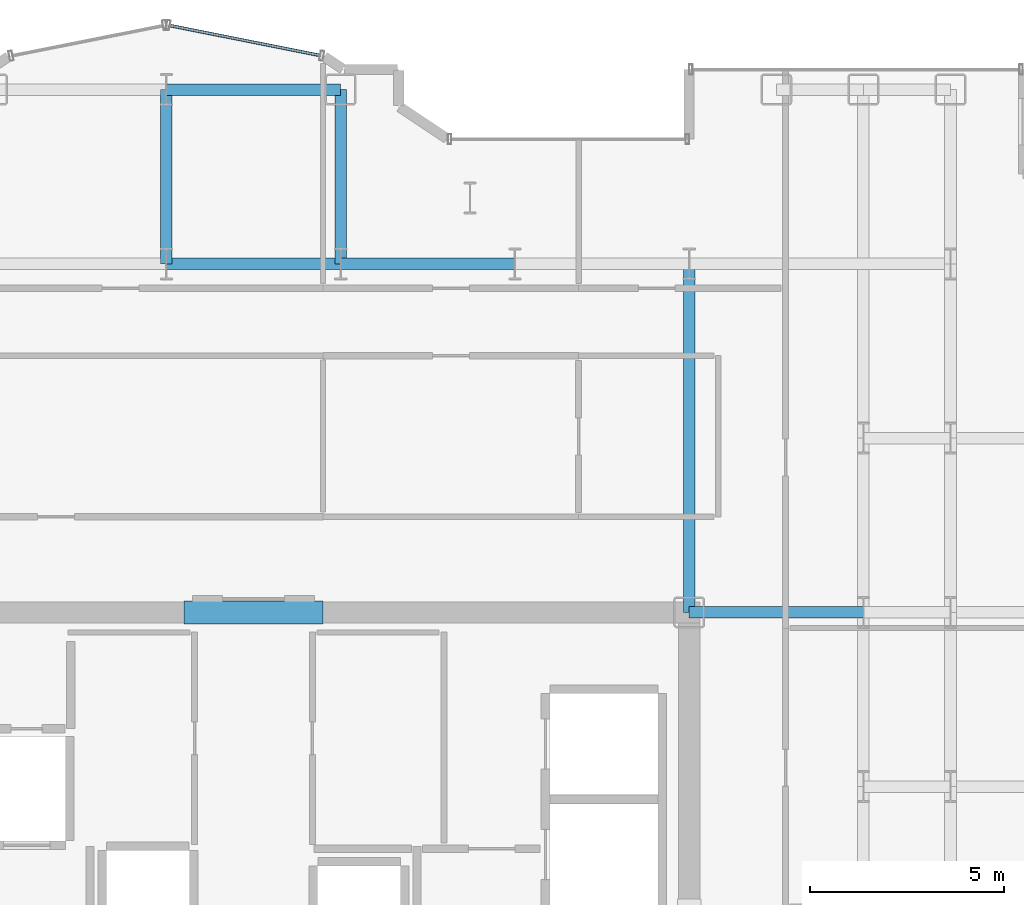
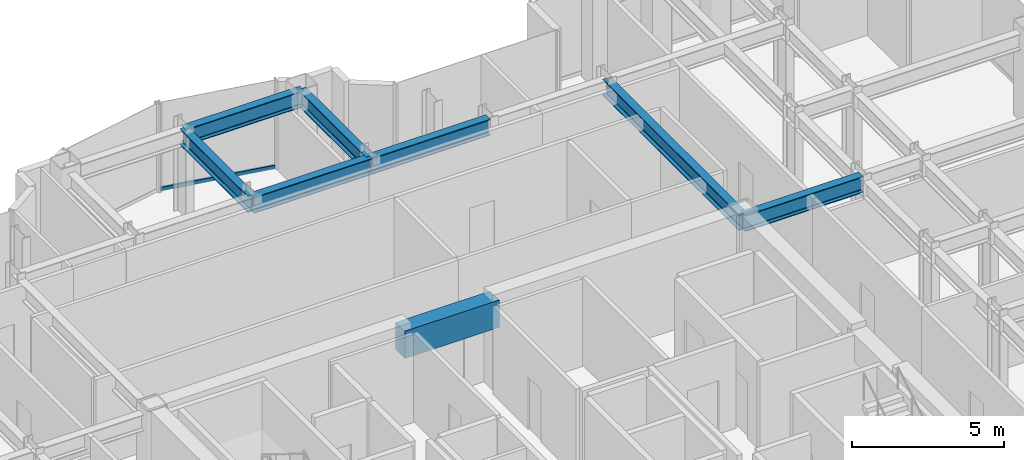
# One storey, part 12 of 23: 8 beams, 1 member, 1 element without a shape of its own.
"""IFC4 building model written with IfcOpenShell, lengths in metres."""

from ifc_helpers import new_model, si_unit, direction, frame, origin, origin_2d, place, context, subcontext, project, spatial, rectangle, hollow_rectangle, i_section, extrude, source, transform, mapped, material, layer, layer_set, material_profile, profile_set, type_object, element, aggregate, save


model = new_model("IFC4")

# Units and contexts
model_context = context("Model", 3, precision=1e-05, world=origin(), true_north=direction((0.0, 1.0)))
body_context = subcontext(model_context, "Body", "Model", "MODEL_VIEW")
ifc_project = project(units=[si_unit("LENGTHUNIT", "METRE"), si_unit("AREAUNIT", "SQUARE_METRE"), si_unit("VOLUMEUNIT", "CUBIC_METRE"), si_unit("PLANEANGLEUNIT", "RADIAN"), si_unit("MASSUNIT", "GRAM", prefix="KILO")], contexts=[model_context])

# Site, building, storey
site_placement = place(None, origin())
site = spatial("IfcSite", under=ifc_project, at=site_placement, CompositionType="ELEMENT")
building_placement = place(site_placement, origin())
building = spatial("IfcBuilding", under=site, at=building_placement, Name="Nefas-Gora Pilgrimage Tower", CompositionType="ELEMENT")
storey_placement = place(building_placement, frame((0.0, 0.0, 190.60009765625)))
storey = spatial("IfcBuildingStorey", under=building, at=storey_placement, Name="L47", CompositionType="ELEMENT", Elevation=190.60009765625)

# Beams
ifc_material_1 = material(Name="Concrete C60/75", Category="concrete")
ifc_material_profile_1 = material_profile(ifc_material_1, rectangle(XDim=0.60009765625, YDim=1.10009765625, at=origin_2d()), Name="RC 600x1100")
ifc_profile_set_1 = profile_set([ifc_material_profile_1], Name="Concrete C60/75")
beam_type_1 = type_object("IfcBeamType", Name="BM-LIN-RC1100", PredefinedType="LINTEL", material=ifc_profile_set_1)
shared_shape_1 = source(origin(), body_context, "Body", "SweptSolid", [
    extrude(rectangle(XDim=0.60009765625, YDim=1.10009765625, at=origin_2d()), origin(), (0.0, 0.0, 1.0), 3.60009765625),
])
beam_1_placement = place(storey_placement, frame((-1.800048828125, 9.0, 3.0), z_axis=(1.0, 0.0, 0.0), x_axis=(0.0, 1.0, 0.0)))
element("IfcBeam", 1, at=beam_1_placement, inside=storey, type_object=beam_type_1, Name="L47 Core Coupling Lintel Beam N", PredefinedType="LINTEL", context=body_context, shape_type="MappedRepresentation", body=[
    mapped(shared_shape_1, transform((0.0, 0.0, 0.0), x_axis=(1.0, 0.0, 0.0), y_axis=(0.0, 1.0, 0.0), z_axis=(0.0, 0.0, 1.0), scale=1.0)),
])
ifc_material_2 = material(Name="Steel S355", Category="steel")
ifc_material_profile_2 = material_profile(ifc_material_2, i_section(OverallWidth=0.300048828125, OverallDepth=0.64990234375, WebThickness=0.01611328125, FlangeThickness=0.031005859375, FilletRadius=0.027099609375, at=origin_2d()), Name="HEB 650")
ifc_profile_set_2 = profile_set([ifc_material_profile_2], Name="Steel S355")
beam_type_2 = type_object("IfcBeamType", Name="BM-GIR-HEB650", PredefinedType="BEAM", material=ifc_profile_set_2)
shared_shape_2 = source(origin(), body_context, "Body", "SweptSolid", [
    extrude(i_section(OverallWidth=0.300048828125, OverallDepth=0.64990234375, WebThickness=0.01611328125, FlangeThickness=0.031005859375, FilletRadius=0.027099609375, at=origin_2d()), origin(), (0.0, 0.0, 1.0), 9.0),
])
beam_2_placement = place(storey_placement, frame((11.25, 9.0, 3.224853515625), z_axis=(0.0, 1.0, 0.0), x_axis=(-1.0, 0.0, 0.0)))
element("IfcBeam", 2, at=beam_2_placement, inside=storey, type_object=beam_type_2, Name="L47 G-03 beam", PredefinedType="BEAM", context=body_context, shape_type="MappedRepresentation", body=[
    mapped(shared_shape_2, transform((0.0, 0.0, 0.0), x_axis=(1.0, 0.0, 0.0), y_axis=(0.0, 1.0, 0.0), z_axis=(0.0, 0.0, 1.0), scale=1.0)),
])
shared_shape_3 = source(origin(), body_context, "Body", "SweptSolid", [
    extrude(i_section(OverallWidth=0.300048828125, OverallDepth=0.64990234375, WebThickness=0.01611328125, FlangeThickness=0.031005859375, FilletRadius=0.027099609375, at=origin_2d()), origin(), (0.0, 0.0, 1.0), 4.5),
])
for number, where, z_axis, x_axis, name in (
    (3, (-2.25, 18.0, 3.224853515625), (0.0, 1.0, 0.0), (-1.0, 0.0, 0.0), "L47 G-03 beam"),
    (4, (-2.25, 18.0, 3.224853515625), (1.0, 0.0, 0.0), (0.0, 1.0, 0.0), "L47 G-03 beam"),
    (5, (-2.25, 22.5, 3.224853515625), (1.0, 0.0, 0.0), (0.0, 1.0, 0.0), "L47 G-03 beam"),
    (6, (2.25, 18.0, 3.224853515625), (0.0, 1.0, 0.0), (-1.0, 0.0, 0.0), "L47 G-03 beam"),
    (7, (2.25, 18.0, 3.224853515625), (1.0, 0.0, 0.0), (0.0, 1.0, 0.0), "L47 G-03 beam"),
    (8, (11.25, 9.0, 3.224853515625), (1.0, 0.0, 0.0), (0.0, 1.0, 0.0), "L47 G-03 beam"),
):
    element("IfcBeam", number, at=place(storey_placement, frame(where, z_axis=z_axis, x_axis=x_axis)), inside=storey, type_object=beam_type_2, Name=name, PredefinedType="BEAM", context=body_context, shape_type="MappedRepresentation", body=[
        mapped(shared_shape_3, transform((0.0, 0.0, 0.0), x_axis=(1.0, 0.0, 0.0), y_axis=(0.0, 1.0, 0.0), z_axis=(0.0, 0.0, 1.0), scale=1.0)),
    ])

# Curtain wall, member
ifc_material_3 = material(Name="Dark ceramic-fritted solar-control aluminium-glass curtain wall", Category="aluminium")
ifc_layer = layer(ifc_material_3, 0.219970703125)
ifc_layer_set = layer_set([ifc_layer], Name="Dark ceramic-fritted solar-control aluminium-glass curtain wall")
curtain_wall_type = type_object("IfcCurtainWallType", Name="CW-SYS-5", PredefinedType="NOTDEFINED", material=ifc_layer_set)
curtain_wall_placement = place(storey_placement, origin())
curtain_wall = element("IfcCurtainWall", 9, at=curtain_wall_placement, inside=storey, type_object=curtain_wall_type, Name="L47 Unitised Curtain Wall CW5", PredefinedType="NOTDEFINED")
ifc_material_4 = material(Name="Anodised architectural aluminium", Category="aluminium")
ifc_material_profile_3 = material_profile(ifc_material_4, hollow_rectangle(XDim=0.080078125, YDim=0.159912109375, WallThickness=0.00439453125, InnerFilletRadius=0.00439453125, OuterFilletRadius=0.009033203125, at=origin_2d()), Name="ALU TRANSOM 80x160")
ifc_profile_set_3 = profile_set([ifc_material_profile_3], Name="Anodised architectural aluminium")
member_type = type_object("IfcMemberType", Name="CWM-TRN-5", PredefinedType="USERDEFINED", material=ifc_profile_set_3)
shared_shape_4 = source(origin(), body_context, "Body", "SweptSolid", [
    extrude(hollow_rectangle(XDim=0.080078125, YDim=0.159912109375, WallThickness=0.00439453125, InnerFilletRadius=0.00439453125, OuterFilletRadius=0.009033203125, at=origin_2d()), origin(), (0.0, 0.0, 1.0), 3.95654296875),
])
member_placement = place(storey_placement, frame((1.718994140625, 23.3828125, 0.0498046875), z_axis=(-0.980781880918, 0.195107411605, 0.0), x_axis=(-0.195107411605, -0.980781880918, 0.0)))
member = element("IfcMember", 10, at=member_placement, type_object=member_type, Name="CW5 Spandrel Transom", ObjectType="TRANSOM", PredefinedType="USERDEFINED", context=body_context, shape_type="MappedRepresentation", body=[
    mapped(shared_shape_4, transform((0.0, 0.0, 0.0), x_axis=(1.0, 0.0, 0.0), y_axis=(0.0, 1.0, 0.0), z_axis=(0.0, 0.0, 1.0), scale=1.0)),
])
aggregate(curtain_wall, [member])

save(model, "model.ifc")
